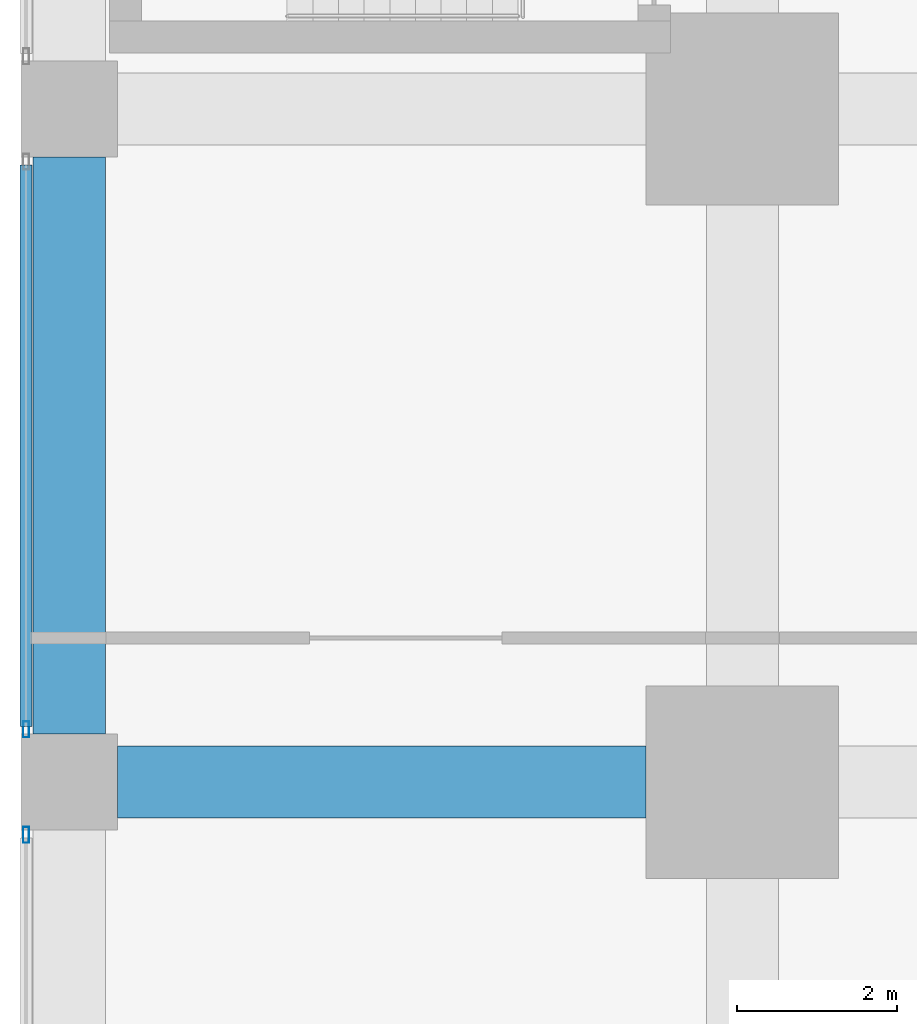
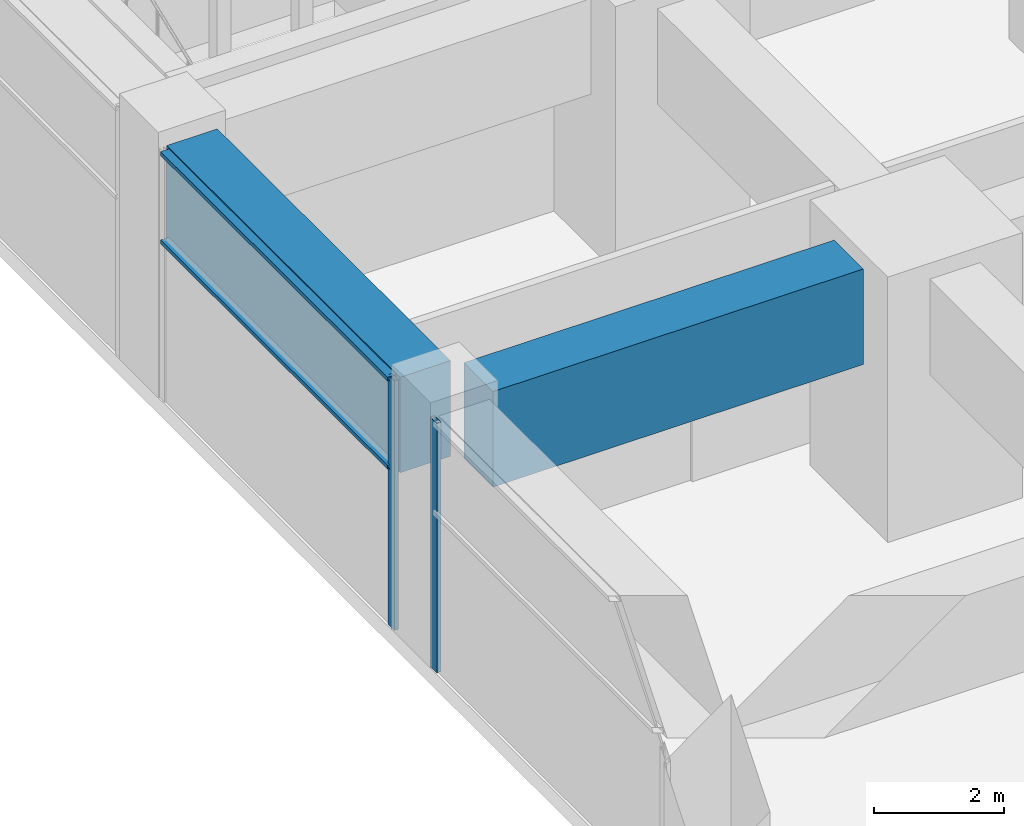
# One storey, part 9 of 48: 4 members, 2 beams, 2 elements without a shape of their own.
"""IFC4 building model written with IfcOpenShell, lengths in metres."""

from ifc_helpers import new_model, si_unit, direction, frame, origin, origin_2d, place, context, subcontext, project, spatial, rectangle, hollow_rectangle, extrude, material, material_profile, profile_set, type_object, element, aggregate, save


model = new_model("IFC4")

# Units and contexts
model_context = context("Model", 3, precision=1e-05, world=origin(), true_north=direction((0.0, 1.0)))
body_context = subcontext(model_context, "Body", "Model", "MODEL_VIEW")
ifc_project = project(units=[si_unit("LENGTHUNIT", "METRE"), si_unit("AREAUNIT", "SQUARE_METRE"), si_unit("VOLUMEUNIT", "CUBIC_METRE"), si_unit("PLANEANGLEUNIT", "RADIAN"), si_unit("MASSUNIT", "GRAM", prefix="KILO")], contexts=[model_context])

# Site, building, storey
site_placement = place(None, origin())
site = spatial("IfcSite", under=ifc_project, at=site_placement, CompositionType="ELEMENT")
building_placement = place(site_placement, origin())
building = spatial("IfcBuilding", under=site, at=building_placement, Name="Rekha Terrace Tower", CompositionType="ELEMENT")
storey_placement = place(building_placement, frame((0.0, 0.0, 15.39990234375)))
storey = spatial("IfcBuildingStorey", under=building, at=storey_placement, Name="L03", CompositionType="ELEMENT", Elevation=15.39990234375)

# Curtain wall, member
ifc_material_1 = material(Name="Aluminium framing", Category="aluminium")
curtain_wall_type = type_object("IfcCurtainWallType", Name="CW4 podium shopfront glazing", PredefinedType="USERDEFINED", material=ifc_material_1)
curtain_wall_1_placement = place(storey_placement, origin())
curtain_wall_1 = element("IfcCurtainWall", 1, at=curtain_wall_1_placement, inside=storey, type_object=curtain_wall_type, Name="CW4 shopfront curtain wall", ObjectType="SHOPFRONT CURTAIN WALL", PredefinedType="USERDEFINED")
ifc_material_2 = material(Name="Aluminium mullion section", Category="aluminium")
ifc_material_profile_1 = material_profile(ifc_material_2, hollow_rectangle(XDim=0.074951171875, YDim=0.199951171875, WallThickness=0.00390625, at=origin_2d()), Name="AL RHS 75x200")
ifc_profile_set_1 = profile_set([ifc_material_profile_1], Name="Aluminium mullion section")
member_type_1 = type_object("IfcMemberType", Name="CW4 mullion RHS 75 x 200", PredefinedType="MULLION", material=ifc_profile_set_1)
member_1_placement = place(storey_placement, frame((-0.5400390625, 17.45751953125, 0.0), z_axis=(0.0, 0.0, 1.0), x_axis=(1.0, 0.0, 0.0)))
member_1 = element("IfcMember", 2, at=member_1_placement, type_object=member_type_1, Name="CW4 mullion 2", PredefinedType="MULLION", context=body_context, shape_type="SweptSolid", body=[
    extrude(hollow_rectangle(XDim=0.074951171875, YDim=0.199951171875, WallThickness=0.00390625, at=origin_2d()), origin(), (0.0, 0.0, 1.0), 4.7001953125),
])

curtain_wall_2_placement = place(storey_placement, origin())
curtain_wall_2 = element("IfcCurtainWall", 3, at=curtain_wall_2_placement, inside=storey, type_object=curtain_wall_type, Name="CW4 shopfront curtain wall", ObjectType="SHOPFRONT CURTAIN WALL", PredefinedType="USERDEFINED")
member_2_placement = place(storey_placement, frame((-0.5400390625, 16.142578125, 0.0), z_axis=(0.0, 0.0, 1.0), x_axis=(1.0, 0.0, 0.0)))
member_2 = element("IfcMember", 4, at=member_2_placement, type_object=member_type_1, Name="CW4 mullion 1", PredefinedType="MULLION", context=body_context, shape_type="SweptSolid", body=[
    extrude(hollow_rectangle(XDim=0.074951171875, YDim=0.199951171875, WallThickness=0.00390625, at=origin_2d()), origin(), (0.0, 0.0, 1.0), 4.7001953125),
])
aggregate(curtain_wall_2, [member_2])

# Member
ifc_material_3 = material(Name="Aluminium transom section", Category="aluminium")
ifc_material_profile_2 = material_profile(ifc_material_3, hollow_rectangle(XDim=0.14990234375, YDim=0.074951171875, WallThickness=0.0029296875, at=origin_2d()), Name="AL RHS 150x75")
ifc_profile_set_2 = profile_set([ifc_material_profile_2], Name="Aluminium transom section")
member_type_2 = type_object("IfcMemberType", Name="CW4 transom RHS 75 x 150", PredefinedType="USERDEFINED", material=ifc_profile_set_2)
member_3_placement = place(storey_placement, frame((-0.5400390625, 24.5048828125, 3.0), z_axis=(0.0, -1.0, 0.0), x_axis=(1.0, 0.0, 0.0)))
member_3 = element("IfcMember", 5, at=member_3_placement, type_object=member_type_2, Name="CW4 transom 1.2", ObjectType="TRANSOM", PredefinedType="USERDEFINED", context=body_context, shape_type="SweptSolid", body=[
    extrude(hollow_rectangle(XDim=0.14990234375, YDim=0.074951171875, WallThickness=0.0029296875, at=origin_2d()), origin(), (0.0, 0.0, 1.0), 7.009765625),
])

member_4_placement = place(storey_placement, frame((-0.5400390625, 24.5048828125, 4.66259765625), z_axis=(0.0, -1.0, 0.0), x_axis=(1.0, 0.0, 0.0)))
member_4 = element("IfcMember", 6, at=member_4_placement, type_object=member_type_2, Name="CW4 transom 1.3", ObjectType="TRANSOM", PredefinedType="USERDEFINED", context=body_context, shape_type="SweptSolid", body=[
    extrude(hollow_rectangle(XDim=0.14990234375, YDim=0.074951171875, WallThickness=0.0029296875, at=origin_2d()), origin(), (0.0, 0.0, 1.0), 7.009765625),
])

aggregate(curtain_wall_1, [member_1, member_3, member_4])

# Beams
ifc_material_4 = material(Name="Concrete M60", Category="concrete")
ifc_material_profile_3 = material_profile(ifc_material_4, rectangle(XDim=0.89990234375, YDim=1.800048828125, at=origin_2d()), Name="RC 900x1800")
ifc_profile_set_3 = profile_set([ifc_material_profile_3], Name="Concrete M60")
beam_type = type_object("IfcBeamType", Name="G1 900x1800 podium floor beam", PredefinedType="BEAM", material=ifc_profile_set_3)
beam_1_placement = place(storey_placement, frame((0.60009765625, 16.800048828125, 3.800048828125), z_axis=(1.0, 0.0, 0.0), x_axis=(0.0, 1.0, 0.0)))
element("IfcBeam", 7, at=beam_1_placement, inside=storey, type_object=beam_type, Name="Beam G1 1C-2C under L04", PredefinedType="BEAM", context=body_context, shape_type="SweptSolid", body=[
    extrude(rectangle(XDim=0.89990234375, YDim=1.800048828125, at=origin_2d()), origin(), (0.0, 0.0, 1.0), 6.599853515625),
])
beam_2_placement = place(storey_placement, frame((0.0, 17.39990234375, 3.800048828125), z_axis=(0.0, 1.0, 0.0), x_axis=(-1.0, 0.0, 0.0)))
element("IfcBeam", 8, at=beam_2_placement, inside=storey, type_object=beam_type, Name="Beam G1 1C-1D under L04", PredefinedType="BEAM", context=body_context, shape_type="SweptSolid", body=[
    extrude(rectangle(XDim=0.89990234375, YDim=1.800048828125, at=origin_2d()), origin(), (0.0, 0.0, 1.0), 7.2001953125),
])

save(model, "model.ifc")
